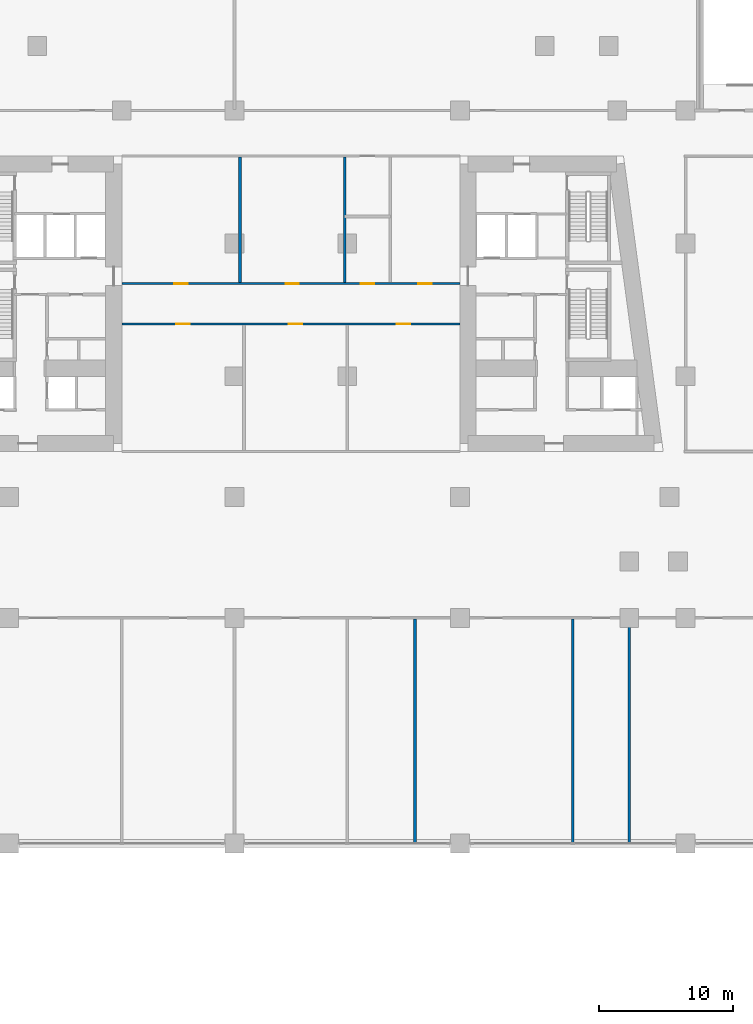
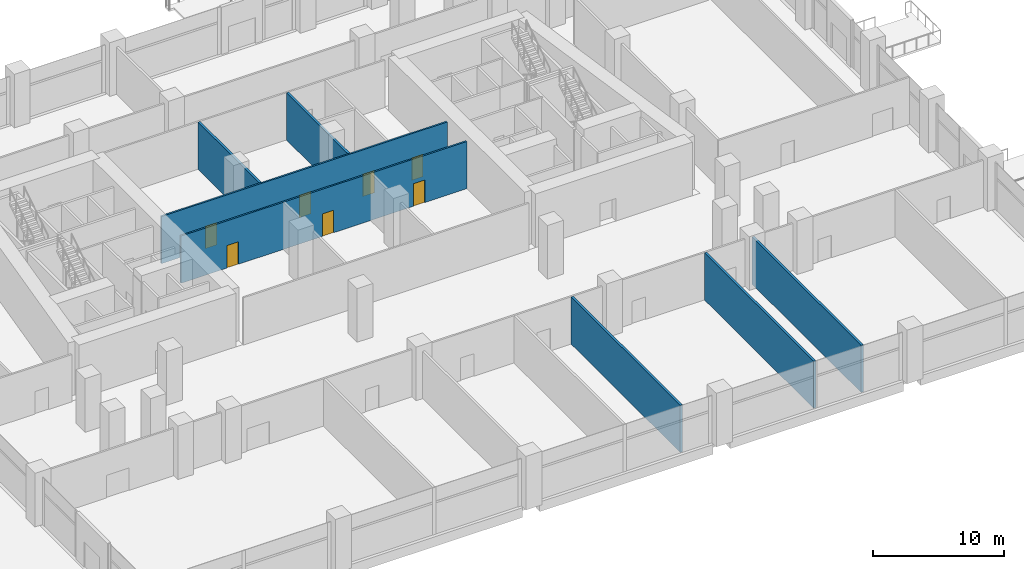
# One storey, part 18 of 33: 7 doors, 7 walls, 7 openings.
"""IFC4 building model written with IfcOpenShell, lengths in metres."""

from ifc_helpers import new_model, si_unit, direction, frame, frame_2d, origin, place, context, subcontext, project, spatial, rectangle, extrude, material, layer, layer_set, type_object, element, fill, save


model = new_model("IFC4")

# Units and contexts
model_context = context("Model", 3, precision=1e-05, world=origin(), true_north=direction((0.0, 1.0)))
body_context = subcontext(model_context, "Body", "Model", "MODEL_VIEW")
ifc_project = project(units=[si_unit("LENGTHUNIT", "METRE"), si_unit("AREAUNIT", "SQUARE_METRE"), si_unit("VOLUMEUNIT", "CUBIC_METRE"), si_unit("PLANEANGLEUNIT", "RADIAN"), si_unit("MASSUNIT", "GRAM", prefix="KILO")], contexts=[model_context])

# Site, building, storey
site_placement = place(None, origin())
site = spatial("IfcSite", under=ifc_project, at=site_placement, CompositionType="ELEMENT")
building_placement = place(site_placement, origin())
building = spatial("IfcBuilding", under=site, at=building_placement, Name="Candeia Pilgrim Tower and Theatre", CompositionType="ELEMENT")
storey_placement = place(building_placement, frame((0.0, 0.0, 29.0)))
storey = spatial("IfcBuildingStorey", under=building, at=storey_placement, Name="L04", CompositionType="ELEMENT", Elevation=29.0)

# Wall, openings, doors
ifc_material_1 = material(Name="Gypsum board partition on steel studs", Category="steel")
ifc_layer_1 = layer(ifc_material_1, 0.14990234375)
ifc_layer_set_1 = layer_set([ifc_layer_1], Name="PW-150 unit wall")
wall_type_1 = type_object("IfcWallType", Name="PW-150 unit wall", PredefinedType="PARTITIONING", material=ifc_layer_set_1)
wall_1_placement = place(storey_placement, frame((100.800048828125, 119.89990234375, 0.0), z_axis=(0.0, 0.0, 1.0), x_axis=(1.0, 0.0, 0.0)))
wall_1 = element("IfcWall", 1, at=wall_1_placement, inside=storey, type_object=wall_type_1, Name="Unit wall L04-013", PredefinedType="PARTITIONING", context=body_context, shape_type="SweptSolid", body=[
    extrude(rectangle(XDim=25.199951171875, YDim=0.14990234375, at=frame_2d((12.60009765625, 0.0))), origin(), (0.0, 0.0, 1.0), 4.39990234375),
])
opening_1_placement = place(wall_1_placement, frame((4.050048828125, 0.0, 0.0)))
opening_1 = element("IfcOpeningElement", 2, at=opening_1_placement, cuts=wall_1, Name="Opening L04-D012", PredefinedType="OPENING", context=body_context, shape_type="SweptSolid", body=[
    extrude(rectangle(XDim=1.0, YDim=2.10009765625, at=frame_2d((0.5, 1.050048828125))), frame((0.0, 0.0849609375, 0.0), z_axis=(0.0, -1.0, 0.0), x_axis=(1.0, 0.0, 0.0)), (0.0, 0.0, 1.0), 0.169921875),
])
opening_2_placement = place(wall_1_placement, frame((12.449951171875, 0.0, 0.0)))
opening_2 = element("IfcOpeningElement", 3, at=opening_2_placement, cuts=wall_1, Name="Opening L04-D013", PredefinedType="OPENING", context=body_context, shape_type="SweptSolid", body=[
    extrude(rectangle(XDim=1.0, YDim=2.10009765625, at=frame_2d((0.5, 1.050048828125))), frame((0.0, 0.0849609375, 0.0), z_axis=(0.0, -1.0, 0.0), x_axis=(1.0, 0.0, 0.0)), (0.0, 0.0, 1.0), 0.169921875),
])
opening_3_placement = place(wall_1_placement, frame((20.5, 0.0, 0.0)))
opening_3 = element("IfcOpeningElement", 4, at=opening_3_placement, cuts=wall_1, Name="Opening L04-D014", PredefinedType="OPENING", context=body_context, shape_type="SweptSolid", body=[
    extrude(rectangle(XDim=1.0, YDim=2.10009765625, at=frame_2d((0.5, 1.050048828125))), frame((0.0, 0.0849609375, 0.0), z_axis=(0.0, -1.0, 0.0), x_axis=(1.0, 0.0, 0.0)), (0.0, 0.0, 1.0), 0.169921875),
])
ifc_material_2 = material(Name="Steel fire door set", Category="steel")
door_type = type_object("IfcDoorType", Name="D-1000-FD30S", OperationType="NOTDEFINED", PredefinedType="DOOR", material=ifc_material_2)
door_1_placement = place(opening_1_placement, origin())
door_1 = element("IfcDoor", 5, at=door_1_placement, inside=storey, type_object=door_type, Name="Door L04-D012", OperationType="SINGLE_SWING_RIGHT", OverallHeight=2.10009765625, OverallWidth=1.0, PredefinedType="DOOR", context=body_context, shape_type="SweptSolid", body=[
    extrude(rectangle(XDim=1.0, YDim=2.10009765625, at=frame_2d((0.5, 1.050048828125))), frame((0.0, 0.02490234375, 0.0), z_axis=(0.0, -1.0, 0.0), x_axis=(1.0, 0.0, 0.0)), (0.0, 0.0, 1.0), 0.050048828125),
])
fill(opening_1, door_1)
door_2_placement = place(opening_2_placement, origin())
door_2 = element("IfcDoor", 6, at=door_2_placement, inside=storey, type_object=door_type, Name="Door L04-D013", OperationType="SINGLE_SWING_LEFT", OverallHeight=2.10009765625, OverallWidth=1.0, PredefinedType="DOOR", context=body_context, shape_type="SweptSolid", body=[
    extrude(rectangle(XDim=1.0, YDim=2.10009765625, at=frame_2d((0.5, 1.050048828125))), frame((0.0, 0.02490234375, 0.0), z_axis=(0.0, -1.0, 0.0), x_axis=(1.0, 0.0, 0.0)), (0.0, 0.0, 1.0), 0.050048828125),
])
fill(opening_2, door_2)
door_3_placement = place(opening_3_placement, origin())
door_3 = element("IfcDoor", 7, at=door_3_placement, inside=storey, type_object=door_type, Name="Door L04-D014", OperationType="SINGLE_SWING_RIGHT", OverallHeight=2.10009765625, OverallWidth=1.0, PredefinedType="DOOR", context=body_context, shape_type="SweptSolid", body=[
    extrude(rectangle(XDim=1.0, YDim=2.10009765625, at=frame_2d((0.5, 1.050048828125))), frame((0.0, 0.02490234375, 0.0), z_axis=(0.0, -1.0, 0.0), x_axis=(1.0, 0.0, 0.0)), (0.0, 0.0, 1.0), 0.050048828125),
])
fill(opening_3, door_3)

wall_2_placement = place(storey_placement, frame((100.800048828125, 122.89990234375, 0.0), z_axis=(0.0, 0.0, 1.0), x_axis=(1.0, 0.0, 0.0)))
wall_2 = element("IfcWall", 8, at=wall_2_placement, inside=storey, type_object=wall_type_1, Name="Unit wall L04-018", PredefinedType="PARTITIONING", context=body_context, shape_type="SweptSolid", body=[
    extrude(rectangle(XDim=25.199951171875, YDim=0.14990234375, at=frame_2d((12.60009765625, 0.0))), origin(), (0.0, 0.0, 1.0), 4.39990234375),
])
opening_4_placement = place(wall_2_placement, frame((3.89990234375, 0.0, 0.0)))
opening_4 = element("IfcOpeningElement", 9, at=opening_4_placement, cuts=wall_2, Name="Opening L04-D015", PredefinedType="OPENING", context=body_context, shape_type="SweptSolid", body=[
    extrude(rectangle(XDim=1.0, YDim=2.10009765625, at=frame_2d((0.5, 1.050048828125))), frame((0.0, 0.0849609375, 0.0), z_axis=(0.0, -1.0, 0.0), x_axis=(1.0, 0.0, 0.0)), (0.0, 0.0, 1.0), 0.169921875),
])
opening_5_placement = place(wall_2_placement, frame((12.199951171875, 0.0, 0.0)))
opening_5 = element("IfcOpeningElement", 10, at=opening_5_placement, cuts=wall_2, Name="Opening L04-D016", PredefinedType="OPENING", context=body_context, shape_type="SweptSolid", body=[
    extrude(rectangle(XDim=1.0, YDim=2.10009765625, at=frame_2d((0.5, 1.050048828125))), frame((0.0, 0.0849609375, 0.0), z_axis=(0.0, -1.0, 0.0), x_axis=(1.0, 0.0, 0.0)), (0.0, 0.0, 1.0), 0.169921875),
])
opening_6_placement = place(wall_2_placement, frame((17.800048828125, 0.0, 0.0)))
opening_6 = element("IfcOpeningElement", 11, at=opening_6_placement, cuts=wall_2, Name="Opening L04-D017", PredefinedType="OPENING", context=body_context, shape_type="SweptSolid", body=[
    extrude(rectangle(XDim=1.0, YDim=2.10009765625, at=frame_2d((0.5, 1.050048828125))), frame((0.0, 0.0849609375, 0.0), z_axis=(0.0, -1.0, 0.0), x_axis=(1.0, 0.0, 0.0)), (0.0, 0.0, 1.0), 0.169921875),
])
opening_7_placement = place(wall_2_placement, frame((22.10009765625, 0.0, 0.0)))
opening_7 = element("IfcOpeningElement", 12, at=opening_7_placement, cuts=wall_2, Name="Opening L04-D018", PredefinedType="OPENING", context=body_context, shape_type="SweptSolid", body=[
    extrude(rectangle(XDim=1.0, YDim=2.10009765625, at=frame_2d((0.5, 1.050048828125))), frame((0.0, 0.0849609375, 0.0), z_axis=(0.0, -1.0, 0.0), x_axis=(1.0, 0.0, 0.0)), (0.0, 0.0, 1.0), 0.169921875),
])
door_4_placement = place(opening_4_placement, origin())
door_4 = element("IfcDoor", 13, at=door_4_placement, inside=storey, type_object=door_type, Name="Door L04-D015", OperationType="SINGLE_SWING_LEFT", OverallHeight=2.10009765625, OverallWidth=1.0, PredefinedType="DOOR", context=body_context, shape_type="SweptSolid", body=[
    extrude(rectangle(XDim=1.0, YDim=2.10009765625, at=frame_2d((0.5, 1.050048828125))), frame((0.0, 0.02490234375, 0.0), z_axis=(0.0, -1.0, 0.0), x_axis=(1.0, 0.0, 0.0)), (0.0, 0.0, 1.0), 0.050048828125),
])
fill(opening_4, door_4)
door_5_placement = place(opening_5_placement, origin())
door_5 = element("IfcDoor", 14, at=door_5_placement, inside=storey, type_object=door_type, Name="Door L04-D016", OperationType="SINGLE_SWING_RIGHT", OverallHeight=2.10009765625, OverallWidth=1.0, PredefinedType="DOOR", context=body_context, shape_type="SweptSolid", body=[
    extrude(rectangle(XDim=1.0, YDim=2.10009765625, at=frame_2d((0.5, 1.050048828125))), frame((0.0, 0.02490234375, 0.0), z_axis=(0.0, -1.0, 0.0), x_axis=(1.0, 0.0, 0.0)), (0.0, 0.0, 1.0), 0.050048828125),
])
fill(opening_5, door_5)
door_6_placement = place(opening_6_placement, origin())
door_6 = element("IfcDoor", 15, at=door_6_placement, inside=storey, type_object=door_type, Name="Door L04-D017", OperationType="SINGLE_SWING_LEFT", OverallHeight=2.10009765625, OverallWidth=1.0, PredefinedType="DOOR", context=body_context, shape_type="SweptSolid", body=[
    extrude(rectangle(XDim=1.0, YDim=2.10009765625, at=frame_2d((0.5, 1.050048828125))), frame((0.0, 0.02490234375, 0.0), z_axis=(0.0, -1.0, 0.0), x_axis=(1.0, 0.0, 0.0)), (0.0, 0.0, 1.0), 0.050048828125),
])
fill(opening_6, door_6)
door_7_placement = place(opening_7_placement, origin())
door_7 = element("IfcDoor", 16, at=door_7_placement, inside=storey, type_object=door_type, Name="Door L04-D018", OperationType="SINGLE_SWING_RIGHT", OverallHeight=2.10009765625, OverallWidth=1.0, PredefinedType="DOOR", context=body_context, shape_type="SweptSolid", body=[
    extrude(rectangle(XDim=1.0, YDim=2.10009765625, at=frame_2d((0.5, 1.050048828125))), frame((0.0, 0.02490234375, 0.0), z_axis=(0.0, -1.0, 0.0), x_axis=(1.0, 0.0, 0.0)), (0.0, 0.0, 1.0), 0.050048828125),
])
fill(opening_7, door_7)

# Walls
ifc_layer_2 = layer(ifc_material_1, 0.199951171875)
ifc_layer_set_2 = layer_set([ifc_layer_2], Name="PW-200 party wall")
wall_type_2 = type_object("IfcWallType", Name="PW-200 party wall", PredefinedType="PARTITIONING", material=ifc_layer_set_2)
for number, where, z_axis, x_axis, name in (
    (17, (109.60009765625, 122.97509765625, 0.0), (0.0, 0.0, 1.0), (0.0, 1.0, 0.0), "Party wall L04-069"),
    (18, (117.39990234375, 122.97509765625, 0.0), (0.0, 0.0, 1.0), (0.0, 1.0, 0.0), "Party wall L04-071"),
):
    element("IfcWall", number, at=place(storey_placement, frame(where, z_axis=z_axis, x_axis=x_axis)), inside=storey, type_object=wall_type_2, Name=name, PredefinedType="PARTITIONING", context=body_context, shape_type="SweptSolid", body=[
        extrude(rectangle(XDim=9.349853515625, YDim=0.199951171875, at=frame_2d((4.6748046875, 0.0))), origin(), (0.0, 0.0, 1.0), 4.39990234375),
    ])
for number, where, z_axis, x_axis, name in (
    (19, (122.639892578125, 81.25, 0.0), (0.0, 0.0, 1.0), (0.0, 1.0, 0.0), "Party wall L04-075"),
    (20, (134.39990234375, 81.25, 0.0), (0.0, 0.0, 1.0), (0.0, 1.0, 0.0), "Party wall L04-087"),
    (21, (138.60009765625, 81.25, 0.0), (0.0, 0.0, 1.0), (0.0, 1.0, 0.0), "Party wall L04-091"),
):
    element("IfcWall", number, at=place(storey_placement, frame(where, z_axis=z_axis, x_axis=x_axis)), inside=storey, type_object=wall_type_2, Name=name, PredefinedType="PARTITIONING", context=body_context, shape_type="SweptSolid", body=[
        extrude(rectangle(XDim=16.675048828125, YDim=0.199951171875, at=frame_2d((8.33740234375, 0.0))), origin(), (0.0, 0.0, 1.0), 4.39990234375),
    ])

save(model, "model.ifc")
